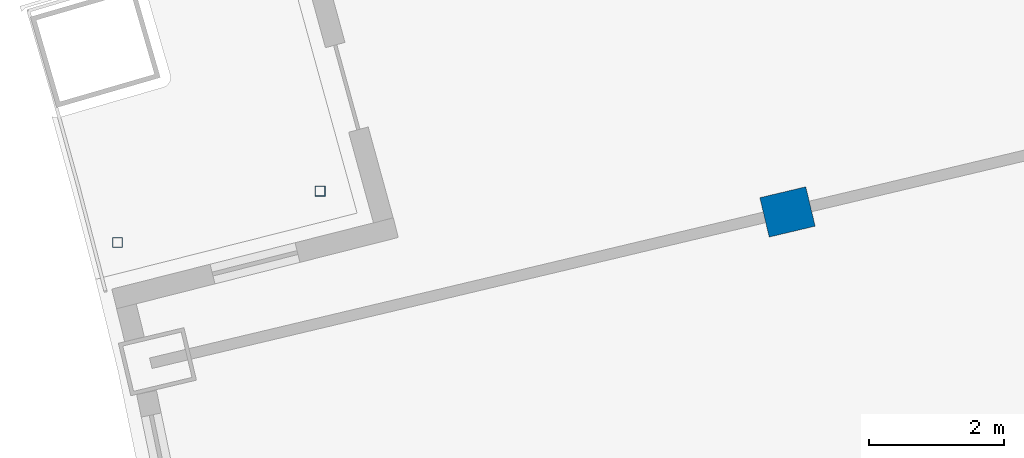
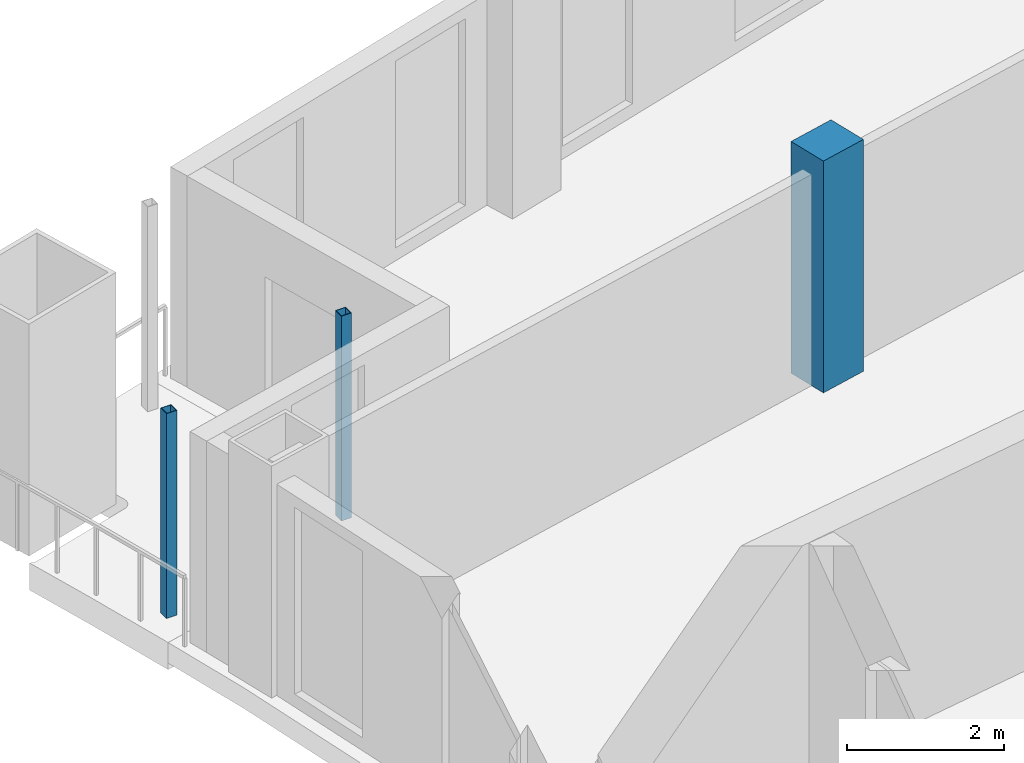
# One storey, part 3 of 17: 3 columns.
"""IFC4 building model written with IfcOpenShell, lengths in metres."""

from ifc_helpers import new_model, si_unit, direction, frame, origin, origin_2d, place, context, subcontext, project, spatial, rectangle, hollow_rectangle, extrude, material, material_profile, profile_set, type_object, element, save


model = new_model("IFC4")

# Units and contexts
model_context = context("Model", 3, precision=1e-05, world=origin(), true_north=direction((0.0, 1.0)))
body_context = subcontext(model_context, "Body", "Model", "MODEL_VIEW")
ifc_project = project(units=[si_unit("LENGTHUNIT", "METRE"), si_unit("AREAUNIT", "SQUARE_METRE"), si_unit("VOLUMEUNIT", "CUBIC_METRE"), si_unit("PLANEANGLEUNIT", "RADIAN"), si_unit("MASSUNIT", "GRAM", prefix="KILO")], contexts=[model_context])

# Site, building, storey
site_placement = place(None, origin())
site = spatial("IfcSite", under=ifc_project, at=site_placement, CompositionType="ELEMENT")
building_placement = place(site_placement, origin())
building = spatial("IfcBuilding", under=site, at=building_placement, Name="Alderwake Tower", CompositionType="ELEMENT")
storey_placement = place(building_placement, frame((0.0, 0.0, 270.800048828125)))
storey = spatial("IfcBuildingStorey", under=building, at=storey_placement, Name="L67", CompositionType="ELEMENT", Elevation=270.800048828125)

# Columns
ifc_material_1 = material(Name="Concrete C70/85", Category="concrete")
ifc_material_profile_1 = material_profile(ifc_material_1, rectangle(XDim=0.60009765625, YDim=0.699951171875, at=origin_2d()), Name="RC 700X600")
ifc_profile_set_1 = profile_set([ifc_material_profile_1], Name="Concrete C70/85")
column_type_1 = type_object("IfcColumnType", Name="Interior column Z5", PredefinedType="COLUMN", material=ifc_profile_set_1)
column_placement = place(storey_placement, frame((23.322021484375, 85.555908203125, 0.0), z_axis=(0.0, 0.0, 1.0), x_axis=(-0.231221547198, 0.972901123502, 0.0)))
element("IfcColumn", 1, at=column_placement, inside=storey, type_object=column_type_1, Name="Column R11-C1", PredefinedType="COLUMN", context=body_context, shape_type="SweptSolid", body=[
    extrude(rectangle(XDim=0.60009765625, YDim=0.699951171875, at=origin_2d()), origin(), (0.0, 0.0, 1.0), 3.599853515625),
])
ifc_material_2 = material(Name="Steel ASTM A500 Grade C", Category="steel")
ifc_material_profile_2 = material_profile(ifc_material_2, hollow_rectangle(XDim=0.15234375, YDim=0.15234375, WallThickness=0.0087890625, at=origin_2d()), Name="HSS6X6X3/8")
ifc_profile_set_2 = profile_set([ifc_material_profile_2], Name="Steel ASTM A500 Grade C")
column_type_2 = type_object("IfcColumnType", Name="Light post HSS6X6X3/8", PredefinedType="COLUMN", material=ifc_profile_set_2)
for number, where, z_axis, x_axis, name in (
    (2, (13.3896484375, 85.103515625, 0.0), (0.0, 0.0, 1.0), (1.0, 0.0, 0.0), "Terrace post RN1"),
    (3, (16.39501953125, 85.864013671875, 0.0), (0.0, 0.0, 1.0), (1.0, 0.0, 0.0), "Terrace post RN3"),
):
    element("IfcColumn", number, at=place(storey_placement, frame(where, z_axis=z_axis, x_axis=x_axis)), inside=storey, type_object=column_type_2, Name=name, PredefinedType="COLUMN", context=body_context, shape_type="SweptSolid", body=[
        extrude(hollow_rectangle(XDim=0.15234375, YDim=0.15234375, WallThickness=0.0087890625, at=origin_2d()), origin(), (0.0, 0.0, 1.0), 3.179931640625),
    ])

save(model, "model.ifc")
